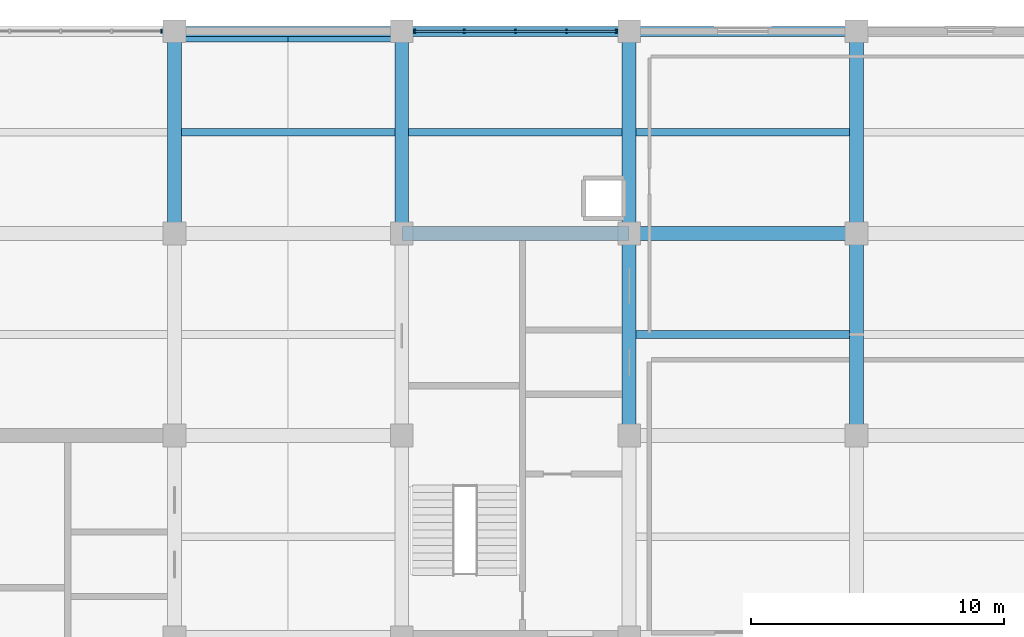
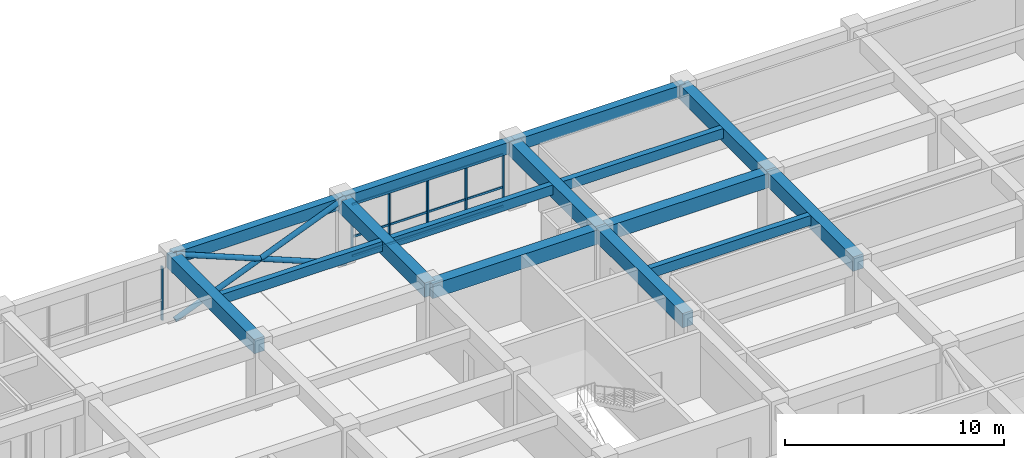
# One storey, part 10 of 23: 15 beams, 11 members, 2 elements without a shape of their own.
"""IFC4 building model written with IfcOpenShell, lengths in metres."""

from ifc_helpers import new_model, si_unit, direction, frame, origin, origin_2d, place, context, subcontext, project, spatial, rectangle, hollow_circle, extrude, material, material_profile, profile_set, type_object, element, aggregate, save


model = new_model("IFC4")

# Units and contexts
model_context = context("Model", 3, precision=1e-05, world=origin(), true_north=direction((0.0, 1.0)))
body_context = subcontext(model_context, "Body", "Model", "MODEL_VIEW")
ifc_project = project(units=[si_unit("LENGTHUNIT", "METRE"), si_unit("AREAUNIT", "SQUARE_METRE"), si_unit("VOLUMEUNIT", "CUBIC_METRE"), si_unit("PLANEANGLEUNIT", "RADIAN"), si_unit("MASSUNIT", "GRAM", prefix="KILO")], contexts=[model_context])

# Site, building, storey
site_placement = place(None, origin())
site = spatial("IfcSite", under=ifc_project, at=site_placement, CompositionType="ELEMENT")
building_placement = place(site_placement, origin())
building = spatial("IfcBuilding", under=site, at=building_placement, Name="Zaverband Oceanarium and Marine Research Institute", CompositionType="ELEMENT")
storey_placement = place(building_placement, frame((0.0, 0.0, 21.89990234375)))
storey = spatial("IfcBuildingStorey", under=building, at=storey_placement, Name="L05", CompositionType="ELEMENT", Elevation=21.89990234375)

# Beams
ifc_material_1 = material(Name="Concrete C40/50", Category="concrete")
ifc_material_profile_1 = material_profile(ifc_material_1, rectangle(XDim=0.550048828125, YDim=0.800048828125, at=origin_2d()), Name="RC550x800")
ifc_profile_set_1 = profile_set([ifc_material_profile_1], Name="Concrete C40/50")
beam_type_1 = type_object("IfcBeamType", Name="BM-550x800", PredefinedType="BEAM", material=ifc_profile_set_1)
for number, where, z_axis, x_axis, name in (
    (1, (36.0, 104.0, 3.25), (1.0, 0.0, 0.0), (0.0, 1.0, 0.0), "Primary floor girder BM-550x800"),
    (2, (45.0, 104.0, 3.25), (1.0, 0.0, 0.0), (0.0, 1.0, 0.0), "Primary floor girder BM-550x800"),
):
    element("IfcBeam", number, at=place(storey_placement, frame(where, z_axis=z_axis, x_axis=x_axis)), inside=storey, type_object=beam_type_1, Name=name, PredefinedType="BEAM", context=body_context, shape_type="SweptSolid", body=[
        extrude(rectangle(XDim=0.550048828125, YDim=0.800048828125, at=origin_2d()), origin(), (0.0, 0.0, 1.0), 9.0),
    ])
for number, where, z_axis, x_axis, name in (
    (3, (27.0, 104.0, 3.25), (0.0, 1.0, 0.0), (-1.0, 0.0, 0.0), "Primary floor girder BM-550x800"),
    (4, (36.0, 104.0, 3.25), (0.0, 1.0, 0.0), (-1.0, 0.0, 0.0), "Primary floor girder BM-550x800"),
    (5, (45.0, 96.0, 3.25), (0.0, 1.0, 0.0), (-1.0, 0.0, 0.0), "Primary floor girder BM-550x800"),
    (6, (45.0, 104.0, 3.25), (0.0, 1.0, 0.0), (-1.0, 0.0, 0.0), "Primary floor girder BM-550x800"),
    (7, (54.0, 96.0, 3.25), (0.0, 1.0, 0.0), (-1.0, 0.0, 0.0), "Primary floor girder BM-550x800"),
    (8, (54.0, 104.0, 3.25), (0.0, 1.0, 0.0), (-1.0, 0.0, 0.0), "Primary floor girder BM-550x800"),
):
    element("IfcBeam", number, at=place(storey_placement, frame(where, z_axis=z_axis, x_axis=x_axis)), inside=storey, type_object=beam_type_1, Name=name, PredefinedType="BEAM", context=body_context, shape_type="SweptSolid", body=[
        extrude(rectangle(XDim=0.550048828125, YDim=0.800048828125, at=origin_2d()), origin(), (0.0, 0.0, 1.0), 8.0),
    ])

# Members
ifc_material_2 = material(Name="Steel S355", Category="steel")
ifc_material_profile_2 = material_profile(ifc_material_2, hollow_circle(Radius=0.136474609375, WallThickness=0.010009765625, at=origin_2d()), Name="CHS273x10")
ifc_profile_set_2 = profile_set([ifc_material_profile_2], Name="Steel S355")
member_type_1 = type_object("IfcMemberType", Name="BR-01", PredefinedType="BRACE", material=ifc_profile_set_2)
for number, where, z_axis, x_axis, name in (
    (9, (27.0, 111.719970703125, 0.0), (0.92668556068, 0.0, 0.37583756016), (0.0, 1.0, 0.0), "Diagonal lateral brace BR-01"),
    (10, (36.0, 111.719970703125, 0.0), (-0.92668556068, 0.0, 0.37583756016), (0.0, -1.0, 0.0), "Diagonal lateral brace BR-01"),
):
    element("IfcMember", number, at=place(storey_placement, frame(where, z_axis=z_axis, x_axis=x_axis)), inside=storey, type_object=member_type_1, Name=name, PredefinedType="BRACE", context=body_context, shape_type="SweptSolid", body=[
        extrude(hollow_circle(Radius=0.136474609375, WallThickness=0.010009765625, at=origin_2d()), origin(), (0.0, 0.0, 1.0), 9.7119140625),
    ])

# Beams
ifc_material_profile_3 = material_profile(ifc_material_1, rectangle(XDim=0.300048828125, YDim=0.550048828125, at=origin_2d()), Name="RC300x550")
ifc_profile_set_3 = profile_set([ifc_material_profile_3], Name="Concrete C40/50")
beam_type_2 = type_object("IfcBeamType", Name="JST-300x550", PredefinedType="JOIST", material=ifc_profile_set_3)
for number, where, z_axis, x_axis, name in (
    (11, (27.27490234375, 108.0, 3.375), (1.0, 0.0, 0.0), (0.0, 1.0, 0.0), "Secondary floor joist JST-300x550"),
    (12, (36.27490234375, 108.0, 3.375), (1.0, 0.0, 0.0), (0.0, 1.0, 0.0), "Secondary floor joist JST-300x550"),
    (13, (45.27490234375, 100.0, 3.375), (1.0, 0.0, 0.0), (0.0, 1.0, 0.0), "Secondary floor joist JST-300x550"),
    (14, (45.27490234375, 108.0, 3.375), (1.0, 0.0, 0.0), (0.0, 1.0, 0.0), "Secondary floor joist JST-300x550"),
):
    element("IfcBeam", number, at=place(storey_placement, frame(where, z_axis=z_axis, x_axis=x_axis)), inside=storey, type_object=beam_type_2, Name=name, PredefinedType="JOIST", context=body_context, shape_type="SweptSolid", body=[
        extrude(rectangle(XDim=0.300048828125, YDim=0.550048828125, at=origin_2d()), origin(), (0.0, 0.0, 1.0), 8.4501953125),
    ])

# Curtain wall, member
ifc_material_3 = material(Name="Thermally broken anodized aluminium and solar-control glass", Category="aluminium")
curtain_wall_type = type_object("IfcCurtainWallType", Name="CW-UNIT-1800", PredefinedType="NOTDEFINED", material=ifc_material_3)
curtain_wall_1_placement = place(storey_placement, origin())
curtain_wall_1 = element("IfcCurtainWall", 15, at=curtain_wall_1_placement, inside=storey, type_object=curtain_wall_type, Name="Unitised glazed curtain wall CW-071", PredefinedType="NOTDEFINED")
ifc_material_4 = material(Name="Thermally broken anodized aluminium", Category="aluminium")
ifc_material_profile_4 = material_profile(ifc_material_4, rectangle(XDim=0.070068359375, YDim=0.14990234375, at=origin_2d()), Name="AL-MUL-70x150")
ifc_profile_set_4 = profile_set([ifc_material_profile_4], Name="Thermally broken anodized aluminium")
member_type_2 = type_object("IfcMemberType", Name="MUL-70x150", PredefinedType="MULLION", material=ifc_profile_set_4)
member_1_placement = place(storey_placement, frame((26.485107421875, 112.0, 0.0), z_axis=(0.0, 0.0, 1.0), x_axis=(1.0, 0.0, 0.0)))
member_1 = element("IfcMember", 16, at=member_1_placement, type_object=member_type_2, Name="Curtain wall vertical mullion MUL-70x150", PredefinedType="MULLION", context=body_context, shape_type="SweptSolid", body=[
    extrude(rectangle(XDim=0.070068359375, YDim=0.14990234375, at=origin_2d()), origin(), (0.0, 0.0, 1.0), 2.97998046875),
])
aggregate(curtain_wall_1, [member_1])

# Curtain wall, members
curtain_wall_2_placement = place(storey_placement, origin())
curtain_wall_2 = element("IfcCurtainWall", 17, at=curtain_wall_2_placement, inside=storey, type_object=curtain_wall_type, Name="Unitised glazed curtain wall CW-072", PredefinedType="NOTDEFINED")
member_2_placement = place(storey_placement, frame((36.514892578125, 112.0, 0.0), z_axis=(0.0, 0.0, 1.0), x_axis=(1.0, 0.0, 0.0)))
member_2 = element("IfcMember", 18, at=member_2_placement, type_object=member_type_2, Name="Curtain wall vertical mullion MUL-70x150", PredefinedType="MULLION", context=body_context, shape_type="SweptSolid", body=[
    extrude(rectangle(XDim=0.070068359375, YDim=0.14990234375, at=origin_2d()), origin(), (0.0, 0.0, 1.0), 2.97998046875),
])
member_3_placement = place(storey_placement, frame((38.4775390625, 112.0, 0.0), z_axis=(0.0, 0.0, 1.0), x_axis=(1.0, 0.0, 0.0)))
member_3 = element("IfcMember", 19, at=member_3_placement, type_object=member_type_2, Name="Curtain wall vertical mullion MUL-70x150", PredefinedType="MULLION", context=body_context, shape_type="SweptSolid", body=[
    extrude(rectangle(XDim=0.070068359375, YDim=0.14990234375, at=origin_2d()), origin(), (0.0, 0.0, 1.0), 2.97998046875),
])
member_4_placement = place(storey_placement, frame((40.5, 112.0, 0.0), z_axis=(0.0, 0.0, 1.0), x_axis=(1.0, 0.0, 0.0)))
member_4 = element("IfcMember", 20, at=member_4_placement, type_object=member_type_2, Name="Curtain wall vertical mullion MUL-70x150", PredefinedType="MULLION", context=body_context, shape_type="SweptSolid", body=[
    extrude(rectangle(XDim=0.070068359375, YDim=0.14990234375, at=origin_2d()), origin(), (0.0, 0.0, 1.0), 2.97998046875),
])
member_5_placement = place(storey_placement, frame((42.5224609375, 112.0, 0.0), z_axis=(0.0, 0.0, 1.0), x_axis=(1.0, 0.0, 0.0)))
member_5 = element("IfcMember", 21, at=member_5_placement, type_object=member_type_2, Name="Curtain wall vertical mullion MUL-70x150", PredefinedType="MULLION", context=body_context, shape_type="SweptSolid", body=[
    extrude(rectangle(XDim=0.070068359375, YDim=0.14990234375, at=origin_2d()), origin(), (0.0, 0.0, 1.0), 2.97998046875),
])
member_6_placement = place(storey_placement, frame((44.485107421875, 112.0, 0.0), z_axis=(0.0, 0.0, 1.0), x_axis=(1.0, 0.0, 0.0)))
member_6 = element("IfcMember", 22, at=member_6_placement, type_object=member_type_2, Name="Curtain wall vertical mullion MUL-70x150", PredefinedType="MULLION", context=body_context, shape_type="SweptSolid", body=[
    extrude(rectangle(XDim=0.070068359375, YDim=0.14990234375, at=origin_2d()), origin(), (0.0, 0.0, 1.0), 2.97998046875),
])

# Beams
ifc_material_profile_5 = material_profile(ifc_material_1, rectangle(XDim=0.39990234375, YDim=0.64990234375, at=origin_2d()), Name="RC400x650")
ifc_profile_set_5 = profile_set([ifc_material_profile_5], Name="Concrete C40/50")
beam_type_3 = type_object("IfcBeamType", Name="SPN-400x650", PredefinedType="SPANDREL", material=ifc_profile_set_5)
for number, where, z_axis, x_axis, name in (
    (23, (27.0, 112.0, 3.3251953125), (1.0, 0.0, 0.0), (0.0, 1.0, 0.0), "Perimeter spandrel beam SPN-400x650"),
    (24, (36.0, 112.0, 3.3251953125), (1.0, 0.0, 0.0), (0.0, 1.0, 0.0), "Perimeter spandrel beam SPN-400x650"),
    (25, (45.0, 112.0, 3.3251953125), (1.0, 0.0, 0.0), (0.0, 1.0, 0.0), "Perimeter spandrel beam SPN-400x650"),
):
    element("IfcBeam", number, at=place(storey_placement, frame(where, z_axis=z_axis, x_axis=x_axis)), inside=storey, type_object=beam_type_3, Name=name, PredefinedType="SPANDREL", context=body_context, shape_type="SweptSolid", body=[
        extrude(rectangle(XDim=0.39990234375, YDim=0.64990234375, at=origin_2d()), origin(), (0.0, 0.0, 1.0), 9.0),
    ])

# Member
ifc_material_profile_6 = material_profile(ifc_material_4, rectangle(XDim=0.070068359375, YDim=0.114990234375, at=origin_2d()), Name="AL-TRN-70x115")
ifc_profile_set_6 = profile_set([ifc_material_profile_6], Name="Thermally broken anodized aluminium")
member_type_3 = type_object("IfcMemberType", Name="TRN-70x115", PredefinedType="USERDEFINED", material=ifc_profile_set_6)
member_7_placement = place(storey_placement, frame((36.514892578125, 112.0, 0.050048828125), z_axis=(1.0, 0.0, 0.0), x_axis=(0.0, 1.0, 0.0)))
member_7 = element("IfcMember", 26, at=member_7_placement, type_object=member_type_3, Name="Curtain wall horizontal transom TRN-70x115", ObjectType="TRANSOM", PredefinedType="USERDEFINED", context=body_context, shape_type="SweptSolid", body=[
    extrude(rectangle(XDim=0.070068359375, YDim=0.114990234375, at=origin_2d()), origin(), (0.0, 0.0, 1.0), 7.97021484375),
])

member_8_placement = place(storey_placement, frame((36.514892578125, 112.0, 1.123046875), z_axis=(1.0, 0.0, 0.0), x_axis=(0.0, 1.0, 0.0)))
member_8 = element("IfcMember", 27, at=member_8_placement, type_object=member_type_3, Name="Curtain wall horizontal transom TRN-70x115", ObjectType="TRANSOM", PredefinedType="USERDEFINED", context=body_context, shape_type="SweptSolid", body=[
    extrude(rectangle(XDim=0.070068359375, YDim=0.114990234375, at=origin_2d()), origin(), (0.0, 0.0, 1.0), 7.97021484375),
])

member_9_placement = place(storey_placement, frame((36.514892578125, 112.0, 2.93017578125), z_axis=(1.0, 0.0, 0.0), x_axis=(0.0, 1.0, 0.0)))
member_9 = element("IfcMember", 28, at=member_9_placement, type_object=member_type_3, Name="Curtain wall horizontal transom TRN-70x115", ObjectType="TRANSOM", PredefinedType="USERDEFINED", context=body_context, shape_type="SweptSolid", body=[
    extrude(rectangle(XDim=0.070068359375, YDim=0.114990234375, at=origin_2d()), origin(), (0.0, 0.0, 1.0), 7.97021484375),
])

aggregate(curtain_wall_2, [member_2, member_3, member_4, member_5, member_6, member_7, member_8, member_9])

save(model, "model.ifc")
